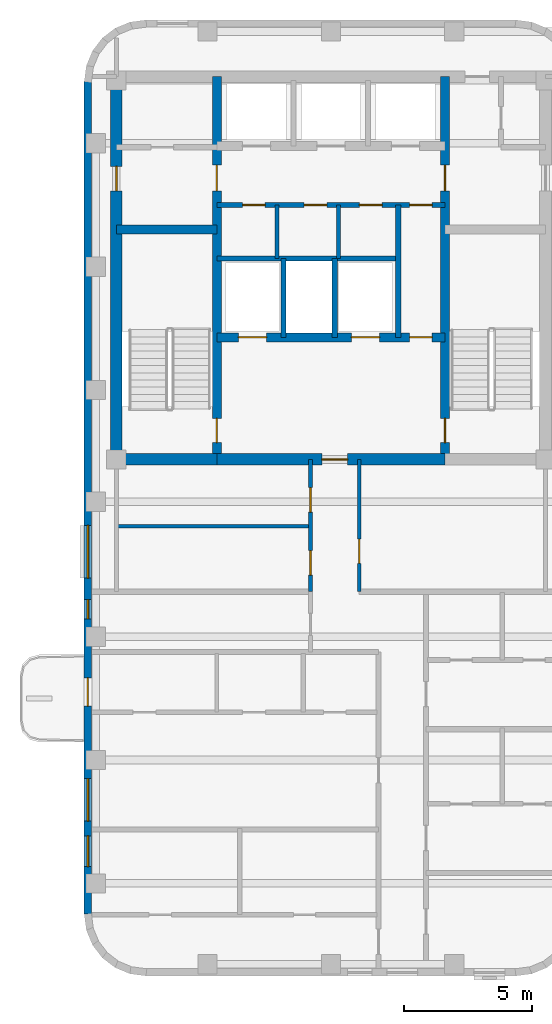
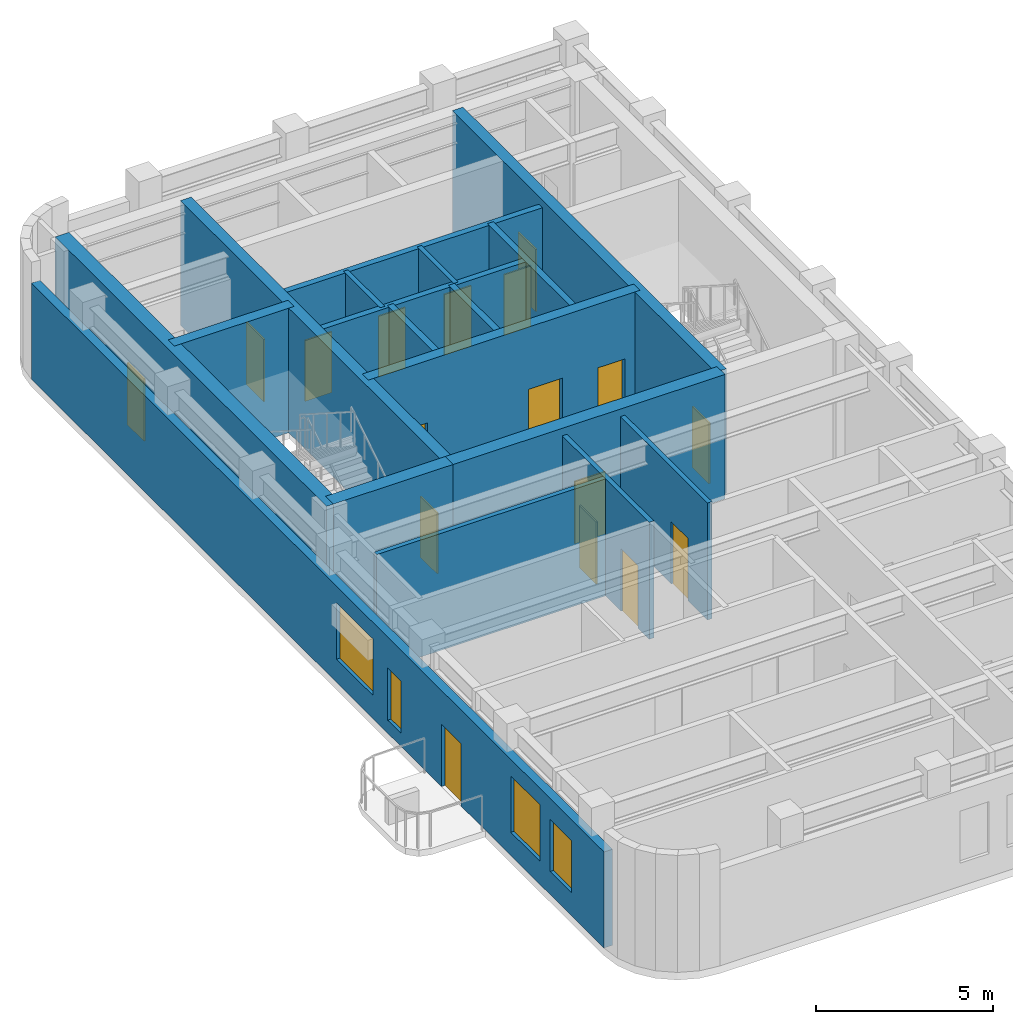
# One storey, part 3 of 6: 18 walls, 17 doors, 4 windows, 21 openings.
"""IFC4 building model written with IfcOpenShell, lengths in metres."""

from ifc_helpers import new_model, si_unit, direction, frame, frame_2d, origin, place, context, subcontext, project, spatial, rectangle, extrude, material, layer, layer_set, type_object, element, fill, save


model = new_model("IFC4")

# Units and contexts
model_context = context("Model", 3, precision=1e-05, world=origin(), true_north=direction((0.0, 1.0)))
body_context = subcontext(model_context, "Body", "Model", "MODEL_VIEW")
ifc_project = project(units=[si_unit("LENGTHUNIT", "METRE"), si_unit("AREAUNIT", "SQUARE_METRE"), si_unit("VOLUMEUNIT", "CUBIC_METRE"), si_unit("PLANEANGLEUNIT", "RADIAN"), si_unit("MASSUNIT", "GRAM", prefix="KILO")], contexts=[model_context])

# Site, building, storey
site_placement = place(None, origin())
site = spatial("IfcSite", under=ifc_project, at=site_placement, CompositionType="ELEMENT")
building_placement = place(site_placement, origin())
building = spatial("IfcBuilding", under=site, at=building_placement, Name="Orvandelia Arch Residences", CompositionType="ELEMENT")
storey_placement = place(building_placement, frame((0.0, 0.0, 274.199951171875)))
storey = spatial("IfcBuildingStorey", under=building, at=storey_placement, Name="L71", CompositionType="ELEMENT", Elevation=274.199951171875)

# Wall, openings, doors
ifc_material_1 = material(Name="Concrete C50/60", Category="concrete")
ifc_layer_1 = layer(ifc_material_1, 0.35009765625, Name="Concrete C50/60", Category="concrete")
ifc_layer_set_1 = layer_set([ifc_layer_1], Name="Concrete C50/60")
wall_type_1 = type_object("IfcWallType", Name="WL-CORE-350", PredefinedType="SHEAR", material=ifc_layer_set_1)
wall_1_placement = place(storey_placement, frame((9.9599609375, 30.89990234375, 0.0), z_axis=(0.0, 0.0, 1.0), x_axis=(0.0, 1.0, 0.0)))
wall_1 = element("IfcWall", 1, at=wall_1_placement, inside=storey, type_object=wall_type_1, Name="Core Shear Wall L71-WEB1", PredefinedType="SHEAR", context=body_context, shape_type="SweptSolid", body=[
    extrude(rectangle(XDim=14.900146484375, YDim=0.35009765625, at=frame_2d((7.4501953125, 0.0))), origin(), (0.0, 0.0, 1.0), 4.300048828125),
])
opening_1_placement = place(wall_1_placement, frame((0.64990234375, 0.0, 0.0)))
opening_1 = element("IfcOpeningElement", 2, at=opening_1_placement, cuts=wall_1, Name="Opening D7", PredefinedType="OPENING", context=body_context, shape_type="SweptSolid", body=[
    extrude(rectangle(XDim=0.949951171875, YDim=2.10009765625, at=frame_2d((0.47509765625, 1.050048828125))), frame((0.0, 0.18505859375, 0.0), z_axis=(0.0, -1.0, 0.0), x_axis=(1.0, 0.0, 0.0)), (0.0, 0.0, 1.0), 0.3701171875),
])
opening_2_placement = place(wall_1_placement, frame((10.449951171875, 0.0, 0.0)))
opening_2 = element("IfcOpeningElement", 3, at=opening_2_placement, cuts=wall_1, Name="Opening D6", PredefinedType="OPENING", context=body_context, shape_type="SweptSolid", body=[
    extrude(rectangle(XDim=1.0, YDim=2.14990234375, at=frame_2d((0.5, 1.074951171875))), frame((0.0, 0.18505859375, 0.0), z_axis=(0.0, -1.0, 0.0), x_axis=(1.0, 0.0, 0.0)), (0.0, 0.0, 1.0), 0.3701171875),
])
ifc_material_2 = material(Name="Smokeproof Painted Steel Fire Door", Category="steel")
door_type_1 = type_object("IfcDoorType", Name="DR-FD60-1000", OperationType="NOTDEFINED", PredefinedType="DOOR", material=ifc_material_2)
door_1_placement = place(opening_2_placement, origin())
door_1 = element("IfcDoor", 4, at=door_1_placement, inside=storey, type_object=door_type_1, Name="High-Rise Lift Hall West Vestibule Door L71", OperationType="SINGLE_SWING_LEFT", OverallHeight=2.14990234375, OverallWidth=1.0, PredefinedType="DOOR", context=body_context, shape_type="SweptSolid", body=[
    extrude(rectangle(XDim=1.0, YDim=2.14990234375, at=frame_2d((0.5, 1.074951171875))), frame((0.0, 0.02490234375, 0.0), z_axis=(0.0, -1.0, 0.0), x_axis=(1.0, 0.0, 0.0)), (0.0, 0.0, 1.0), 0.050048828125),
])
fill(opening_2, door_1)
ifc_material_3 = material(Name="Pressurised Stairwell Fire Door")
door_type_2 = type_object("IfcDoorType", Name="DR-STAIR-950", OperationType="NOTDEFINED", PredefinedType="DOOR", material=ifc_material_3)
door_2_placement = place(opening_1_placement, origin())
door_2 = element("IfcDoor", 5, at=door_2_placement, inside=storey, type_object=door_type_2, Name="Stairwell ST-1 Fire Door L71", OperationType="SINGLE_SWING_LEFT", OverallHeight=2.10009765625, OverallWidth=0.949951171875, PredefinedType="DOOR", context=body_context, shape_type="SweptSolid", body=[
    extrude(rectangle(XDim=0.949951171875, YDim=2.10009765625, at=frame_2d((0.47509765625, 1.050048828125))), frame((0.0, 0.02490234375, 0.0), z_axis=(0.0, -1.0, 0.0), x_axis=(1.0, 0.0, 0.0)), (0.0, 0.0, 1.0), 0.050048828125),
])
fill(opening_1, door_2)

wall_2_placement = place(storey_placement, frame((18.840087890625, 30.89990234375, 0.0), z_axis=(0.0, 0.0, 1.0), x_axis=(0.0, 1.0, 0.0)))
wall_2 = element("IfcWall", 6, at=wall_2_placement, inside=storey, type_object=wall_type_1, Name="Core Shear Wall L71-WEB2", PredefinedType="SHEAR", context=body_context, shape_type="SweptSolid", body=[
    extrude(rectangle(XDim=14.900146484375, YDim=0.35009765625, at=frame_2d((7.4501953125, 0.0))), origin(), (0.0, 0.0, 1.0), 4.300048828125),
])
opening_3_placement = place(wall_2_placement, frame((0.64990234375, 0.0, 0.0)))
opening_3 = element("IfcOpeningElement", 7, at=opening_3_placement, cuts=wall_2, Name="Opening D7", PredefinedType="OPENING", context=body_context, shape_type="SweptSolid", body=[
    extrude(rectangle(XDim=0.949951171875, YDim=2.10009765625, at=frame_2d((0.47509765625, 1.050048828125))), frame((0.0, 0.18505859375, 0.0), z_axis=(0.0, -1.0, 0.0), x_axis=(1.0, 0.0, 0.0)), (0.0, 0.0, 1.0), 0.3701171875),
])
opening_4_placement = place(wall_2_placement, frame((10.449951171875, 0.0, 0.0)))
opening_4 = element("IfcOpeningElement", 8, at=opening_4_placement, cuts=wall_2, Name="Opening D6", PredefinedType="OPENING", context=body_context, shape_type="SweptSolid", body=[
    extrude(rectangle(XDim=1.0, YDim=2.14990234375, at=frame_2d((0.5, 1.074951171875))), frame((0.0, 0.18505859375, 0.0), z_axis=(0.0, -1.0, 0.0), x_axis=(1.0, 0.0, 0.0)), (0.0, 0.0, 1.0), 0.3701171875),
])
door_3_placement = place(opening_4_placement, origin())
door_3 = element("IfcDoor", 9, at=door_3_placement, inside=storey, type_object=door_type_1, Name="High-Rise Lift Hall East Vestibule Door L71", OperationType="SINGLE_SWING_RIGHT", OverallHeight=2.14990234375, OverallWidth=1.0, PredefinedType="DOOR", context=body_context, shape_type="SweptSolid", body=[
    extrude(rectangle(XDim=1.0, YDim=2.14990234375, at=frame_2d((0.5, 1.074951171875))), frame((0.0, 0.02490234375, 0.0), z_axis=(0.0, -1.0, 0.0), x_axis=(1.0, 0.0, 0.0)), (0.0, 0.0, 1.0), 0.050048828125),
])
fill(opening_4, door_3)
door_4_placement = place(opening_3_placement, origin())
door_4 = element("IfcDoor", 10, at=door_4_placement, inside=storey, type_object=door_type_2, Name="Stairwell ST-2 Fire Door L71", OperationType="SINGLE_SWING_RIGHT", OverallHeight=2.10009765625, OverallWidth=0.949951171875, PredefinedType="DOOR", context=body_context, shape_type="SweptSolid", body=[
    extrude(rectangle(XDim=0.949951171875, YDim=2.10009765625, at=frame_2d((0.47509765625, 1.050048828125))), frame((0.0, 0.02490234375, 0.0), z_axis=(0.0, -1.0, 0.0), x_axis=(1.0, 0.0, 0.0)), (0.0, 0.0, 1.0), 0.050048828125),
])
fill(opening_3, door_4)

# Wall
wall_3_placement = place(storey_placement, frame((6.050048828125, 39.85009765625, 0.0), z_axis=(0.0, 0.0, 1.0), x_axis=(1.0, 0.0, 0.0)))
element("IfcWall", 11, at=wall_3_placement, inside=storey, type_object=wall_type_1, Name="Core Shear Wall L71-HZ1", PredefinedType="SHEAR", context=body_context, shape_type="SweptSolid", body=[
    extrude(rectangle(XDim=3.909912109375, YDim=0.35009765625, at=frame_2d((1.955078125, 0.0))), origin(), (0.0, 0.0, 1.0), 4.300048828125),
])

# Wall, openings, doors
wall_4_placement = place(storey_placement, frame((9.9599609375, 35.64990234375, 0.0), z_axis=(0.0, 0.0, 1.0), x_axis=(1.0, 0.0, 0.0)))
wall_4 = element("IfcWall", 12, at=wall_4_placement, inside=storey, type_object=wall_type_1, Name="Core Shear Wall L71-HZ3", PredefinedType="SHEAR", context=body_context, shape_type="SweptSolid", body=[
    extrude(rectangle(XDim=8.880126953125, YDim=0.35009765625, at=frame_2d((4.43994140625, 0.0))), origin(), (0.0, 0.0, 1.0), 4.300048828125),
])
opening_5_placement = place(wall_4_placement, frame((0.840087890625, 0.0, 0.0)))
opening_5 = element("IfcOpeningElement", 13, at=opening_5_placement, cuts=wall_4, Name="Opening FLD", PredefinedType="OPENING", context=body_context, shape_type="SweptSolid", body=[
    extrude(rectangle(XDim=1.10009765625, YDim=2.14990234375, at=frame_2d((0.550048828125, 1.074951171875))), frame((0.0, 0.18505859375, 0.0), z_axis=(0.0, -1.0, 0.0), x_axis=(1.0, 0.0, 0.0)), (0.0, 0.0, 1.0), 0.3701171875),
])
opening_6_placement = place(wall_4_placement, frame((5.239990234375, 0.0, 0.0)))
opening_6 = element("IfcOpeningElement", 14, at=opening_6_placement, cuts=wall_4, Name="Opening FLD", PredefinedType="OPENING", context=body_context, shape_type="SweptSolid", body=[
    extrude(rectangle(XDim=1.10009765625, YDim=2.14990234375, at=frame_2d((0.550048828125, 1.074951171875))), frame((0.0, 0.18505859375, 0.0), z_axis=(0.0, -1.0, 0.0), x_axis=(1.0, 0.0, 0.0)), (0.0, 0.0, 1.0), 0.3701171875),
])
opening_7_placement = place(wall_4_placement, frame((7.5, 0.0, 0.0)))
opening_7 = element("IfcOpeningElement", 15, at=opening_7_placement, cuts=wall_4, Name="Opening D5", PredefinedType="OPENING", context=body_context, shape_type="SweptSolid", body=[
    extrude(rectangle(XDim=0.8798828125, YDim=2.10009765625, at=frame_2d((0.43994140625, 1.050048828125))), frame((0.0, 0.18505859375, 0.0), z_axis=(0.0, -1.0, 0.0), x_axis=(1.0, 0.0, 0.0)), (0.0, 0.0, 1.0), 0.3701171875),
])
ifc_material_4 = material(Name="Firefighting Lift Stainless Sliding Door")
door_type_3 = type_object("IfcDoorType", Name="DR-FLFT-1100", OperationType="NOTDEFINED", PredefinedType="DOOR", material=ifc_material_4)
door_5_placement = place(opening_5_placement, origin())
door_5 = element("IfcDoor", 16, at=door_5_placement, inside=storey, type_object=door_type_3, Name="Firefighting Lift Landing Door FLD-FL1-L71", OperationType="SLIDING_TO_LEFT", OverallHeight=2.14990234375, OverallWidth=1.10009765625, PredefinedType="DOOR", context=body_context, shape_type="SweptSolid", body=[
    extrude(rectangle(XDim=1.10009765625, YDim=2.14990234375, at=frame_2d((0.550048828125, 1.074951171875))), frame((0.0, 0.02490234375, 0.0), z_axis=(0.0, -1.0, 0.0), x_axis=(1.0, 0.0, 0.0)), (0.0, 0.0, 1.0), 0.050048828125),
])
fill(opening_5, door_5)
door_6_placement = place(opening_6_placement, origin())
door_6 = element("IfcDoor", 17, at=door_6_placement, inside=storey, type_object=door_type_3, Name="Firefighting Lift Landing Door FLD-FL2-L71", OperationType="SLIDING_TO_RIGHT", OverallHeight=2.14990234375, OverallWidth=1.10009765625, PredefinedType="DOOR", context=body_context, shape_type="SweptSolid", body=[
    extrude(rectangle(XDim=1.10009765625, YDim=2.14990234375, at=frame_2d((0.550048828125, 1.074951171875))), frame((0.0, 0.02490234375, 0.0), z_axis=(0.0, -1.0, 0.0), x_axis=(1.0, 0.0, 0.0)), (0.0, 0.0, 1.0), 0.050048828125),
])
fill(opening_6, door_6)
ifc_material_5 = material(Name="Painted Galvanised Steel Service Door", Category="steel")
door_type_4 = type_object("IfcDoorType", Name="DR-SRV-880", OperationType="NOTDEFINED", PredefinedType="DOOR", material=ifc_material_5)
door_7_placement = place(opening_7_placement, origin())
door_7 = element("IfcDoor", 18, at=door_7_placement, inside=storey, type_object=door_type_4, Name="Core Stairway Passage South Fire Door L71", OperationType="SINGLE_SWING_LEFT", OverallHeight=2.10009765625, OverallWidth=0.8798828125, PredefinedType="DOOR", context=body_context, shape_type="SweptSolid", body=[
    extrude(rectangle(XDim=0.8798828125, YDim=2.10009765625, at=frame_2d((0.43994140625, 1.050048828125))), frame((0.0, 0.02490234375, 0.0), z_axis=(0.0, -1.0, 0.0), x_axis=(1.0, 0.0, 0.0)), (0.0, 0.0, 1.0), 0.050048828125),
])
fill(opening_7, door_7)

# Wall, opening, door
ifc_layer_2 = layer(ifc_material_1, 0.449951171875, Name="Concrete C50/60", Category="concrete")
ifc_layer_set_2 = layer_set([ifc_layer_2], Name="Concrete C50/60")
wall_type_2 = type_object("IfcWallType", Name="WL-CORE-450", PredefinedType="SHEAR", material=ifc_layer_set_2)
wall_5_placement = place(storey_placement, frame((6.050048828125, 30.675048828125, 0.0), z_axis=(0.0, 0.0, 1.0), x_axis=(0.0, 1.0, 0.0)))
wall_5 = element("IfcWall", 19, at=wall_5_placement, inside=storey, type_object=wall_type_2, Name="Core Shear Wall L71-W", PredefinedType="SHEAR", context=body_context, shape_type="SweptSolid", body=[
    extrude(rectangle(XDim=15.349853515625, YDim=0.449951171875, at=frame_2d((7.6748046875, 0.0))), origin(), (0.0, 0.0, 1.0), 4.300048828125),
])
opening_8_placement = place(wall_5_placement, frame((10.675048828125, 0.0, 0.0)))
opening_8 = element("IfcOpeningElement", 20, at=opening_8_placement, cuts=wall_5, Name="Opening D2", PredefinedType="OPENING", context=body_context, shape_type="SweptSolid", body=[
    extrude(rectangle(XDim=0.949951171875, YDim=2.14990234375, at=frame_2d((0.47509765625, 1.074951171875))), frame((0.0, 0.23486328125, 0.0), z_axis=(0.0, -1.0, 0.0), x_axis=(1.0, 0.0, 0.0)), (0.0, 0.0, 1.0), 0.469970703125),
])
ifc_material_6 = material(Name="Solid-Core Timber Interior Fire Door", Category="wood")
door_type_5 = type_object("IfcDoorType", Name="DR-APT-950", OperationType="NOTDEFINED", PredefinedType="DOOR", material=ifc_material_6)
door_8_placement = place(opening_8_placement, origin())
door_8 = element("IfcDoor", 21, at=door_8_placement, inside=storey, type_object=door_type_5, Name="West Viewing Study Door L71", OperationType="SINGLE_SWING_RIGHT", OverallHeight=2.14990234375, OverallWidth=0.949951171875, PredefinedType="DOOR", context=body_context, shape_type="SweptSolid", body=[
    extrude(rectangle(XDim=0.949951171875, YDim=2.14990234375, at=frame_2d((0.47509765625, 1.074951171875))), frame((0.0, 0.02490234375, 0.0), z_axis=(0.0, -1.0, 0.0), x_axis=(1.0, 0.0, 0.0)), (0.0, 0.0, 1.0), 0.050048828125),
])
fill(opening_8, door_8)

# Wall
wall_6_placement = place(storey_placement, frame((6.050048828125, 30.89990234375, 0.0), z_axis=(0.0, 0.0, 1.0), x_axis=(1.0, 0.0, 0.0)))
element("IfcWall", 22, at=wall_6_placement, inside=storey, type_object=wall_type_2, Name="Core Shear Wall L71-SW", PredefinedType="SHEAR", context=body_context, shape_type="SweptSolid", body=[
    extrude(rectangle(XDim=3.909912109375, YDim=0.449951171875, at=frame_2d((1.955078125, 0.0))), origin(), (0.0, 0.0, 1.0), 4.300048828125),
])

# Wall, opening, door
wall_7_placement = place(storey_placement, frame((9.9599609375, 30.89990234375, 0.0), z_axis=(0.0, 0.0, 1.0), x_axis=(1.0, 0.0, 0.0)))
wall_7 = element("IfcWall", 23, at=wall_7_placement, inside=storey, type_object=wall_type_2, Name="Core Shear Wall L71-SM", PredefinedType="SHEAR", context=body_context, shape_type="SweptSolid", body=[
    extrude(rectangle(XDim=8.880126953125, YDim=0.449951171875, at=frame_2d((4.43994140625, 0.0))), origin(), (0.0, 0.0, 1.0), 4.300048828125),
])
opening_9_placement = place(wall_7_placement, frame((4.090087890625, 0.0, 0.0)))
opening_9 = element("IfcOpeningElement", 24, at=opening_9_placement, cuts=wall_7, Name="Opening D6", PredefinedType="OPENING", context=body_context, shape_type="SweptSolid", body=[
    extrude(rectangle(XDim=1.0, YDim=2.14990234375, at=frame_2d((0.5, 1.074951171875))), frame((0.0, 0.23486328125, 0.0), z_axis=(0.0, -1.0, 0.0), x_axis=(1.0, 0.0, 0.0)), (0.0, 0.0, 1.0), 0.469970703125),
])
door_9_placement = place(opening_9_placement, origin())
door_9 = element("IfcDoor", 25, at=door_9_placement, inside=storey, type_object=door_type_1, Name="Firefighting Lobby Smokeproof Door L71", OperationType="SINGLE_SWING_LEFT", OverallHeight=2.14990234375, OverallWidth=1.0, PredefinedType="DOOR", context=body_context, shape_type="SweptSolid", body=[
    extrude(rectangle(XDim=1.0, YDim=2.14990234375, at=frame_2d((0.5, 1.074951171875))), frame((0.0, 0.02490234375, 0.0), z_axis=(0.0, -1.0, 0.0), x_axis=(1.0, 0.0, 0.0)), (0.0, 0.0, 1.0), 0.050048828125),
])
fill(opening_9, door_9)

# Wall, openings, door, windows
ifc_material_7 = material(Name="Precast concrete C40/50", Category="concrete")
ifc_layer_3 = layer(ifc_material_7, 0.280029296875, Name="Precast concrete C40/50", Category="concrete")
ifc_layer_set_3 = layer_set([ifc_layer_3], Name="Precast concrete C40/50")
wall_type_3 = type_object("IfcWallType", Name="WL-EXT-STONE-280", PredefinedType="STANDARD", material=ifc_layer_set_3)
wall_8_placement = place(storey_placement, frame((4.93994140625, 13.199951171875, 0.0), z_axis=(0.0, 0.0, 1.0), x_axis=(0.0, 1.0, 0.0)))
wall_8 = element("IfcWall", 26, at=wall_8_placement, inside=storey, type_object=wall_type_3, Name="Coral-Limestone Precast Facade Wall L71-028", PredefinedType="STANDARD", context=body_context, shape_type="SweptSolid", body=[
    extrude(rectangle(XDim=32.400146484375, YDim=0.280029296875, at=frame_2d((16.2001953125, 0.0))), origin(), (0.0, 0.0, 1.0), 3.320068359375),
])
opening_10_placement = place(wall_8_placement, frame((8.10009765625, 0.0, 0.0)))
opening_10 = element("IfcOpeningElement", 27, at=opening_10_placement, cuts=wall_8, Name="Opening BD1", PredefinedType="OPENING", context=body_context, shape_type="SweptSolid", body=[
    extrude(rectangle(XDim=1.10009765625, YDim=2.14990234375, at=frame_2d((0.550048828125, 1.074951171875))), frame((0.0, 0.14990234375, 0.0), z_axis=(0.0, -1.0, 0.0), x_axis=(1.0, 0.0, 0.0)), (0.0, 0.0, 1.0), 0.300048828125),
])
opening_11_placement = place(wall_8_placement, frame((1.847412109375, 0.0, 0.800048828125)))
opening_11 = element("IfcOpeningElement", 28, at=opening_11_placement, cuts=wall_8, Name="Opening W3", PredefinedType="OPENING", context=body_context, shape_type="SweptSolid", body=[
    extrude(rectangle(XDim=1.199951171875, YDim=1.800048828125, at=frame_2d((0.60009765625, 0.89990234375))), frame((0.0, 0.14990234375, 0.0), z_axis=(0.0, -1.0, 0.0), x_axis=(1.0, 0.0, 0.0)), (0.0, 0.0, 1.0), 0.300048828125),
])
opening_12_placement = place(wall_8_placement, frame((3.62744140625, 0.0, 0.800048828125)))
opening_12 = element("IfcOpeningElement", 29, at=opening_12_placement, cuts=wall_8, Name="Opening W9", PredefinedType="OPENING", context=body_context, shape_type="SweptSolid", body=[
    extrude(rectangle(XDim=1.64990234375, YDim=1.949951171875, at=frame_2d((0.824951171875, 0.97509765625))), frame((0.0, 0.14990234375, 0.0), z_axis=(0.0, -1.0, 0.0), x_axis=(1.0, 0.0, 0.0)), (0.0, 0.0, 1.0), 0.300048828125),
])
opening_13_placement = place(wall_8_placement, frame((13.08251953125, 0.0, 0.800048828125)))
opening_13 = element("IfcOpeningElement", 30, at=opening_13_placement, cuts=wall_8, Name="Opening W8", PredefinedType="OPENING", context=body_context, shape_type="SweptSolid", body=[
    extrude(rectangle(XDim=2.050048828125, YDim=1.949951171875, at=frame_2d((1.02490234375, 0.97509765625))), frame((0.0, 0.14990234375, 0.0), z_axis=(0.0, -1.0, 0.0), x_axis=(1.0, 0.0, 0.0)), (0.0, 0.0, 1.0), 0.300048828125),
])
opening_14_placement = place(wall_8_placement, frame((11.492431640625, 0.0, 0.449951171875)))
opening_14 = element("IfcOpeningElement", 31, at=opening_14_placement, cuts=wall_8, Name="Opening W11", PredefinedType="OPENING", context=body_context, shape_type="SweptSolid", body=[
    extrude(rectangle(XDim=0.75, YDim=1.800048828125, at=frame_2d((0.375, 0.89990234375))), frame((0.0, 0.14990234375, 0.0), z_axis=(0.0, -1.0, 0.0), x_axis=(1.0, 0.0, 0.0)), (0.0, 0.0, 1.0), 0.300048828125),
])
ifc_material_8 = material(Name="Thermally Broken Aluminium Glazed Door", Category="aluminium")
door_type_6 = type_object("IfcDoorType", Name="DR-BAL-GLAZ-1100", OperationType="NOTDEFINED", PredefinedType="DOOR", material=ifc_material_8)
door_10_placement = place(opening_10_placement, origin())
door_10 = element("IfcDoor", 32, at=door_10_placement, inside=storey, type_object=door_type_6, Name="Tree Balcony Glazed Door BAL-L71-W1", OperationType="SINGLE_SWING_RIGHT", OverallHeight=2.14990234375, OverallWidth=1.10009765625, PredefinedType="DOOR", context=body_context, shape_type="SweptSolid", body=[
    extrude(rectangle(XDim=1.10009765625, YDim=2.14990234375, at=frame_2d((0.550048828125, 1.074951171875))), frame((0.0, 0.02490234375, 0.0), z_axis=(0.0, -1.0, 0.0), x_axis=(1.0, 0.0, 0.0)), (0.0, 0.0, 1.0), 0.050048828125),
])
fill(opening_10, door_10)
ifc_material_9 = material(Name="Tempered Low-E Insulated Glazing", Category="glass")
window_type_1 = type_object("IfcWindowType", Name="WIN-BED-0750x1800", PartitioningType="SINGLE_PANEL", PredefinedType="WINDOW", material=ifc_material_9)
window_1_placement = place(opening_14_placement, origin())
window_1 = element("IfcWindow", 33, at=window_1_placement, inside=storey, type_object=window_type_1, Name="Recessed Punched Window L71-013", OverallHeight=1.800048828125, OverallWidth=0.75, PartitioningType="SINGLE_PANEL", PredefinedType="WINDOW", context=body_context, shape_type="SweptSolid", body=[
    extrude(rectangle(XDim=0.75, YDim=1.800048828125, at=frame_2d((0.375, 0.89990234375))), frame((0.0, 0.030029296875, 0.0), z_axis=(0.0, -1.0, 0.0), x_axis=(1.0, 0.0, 0.0)), (0.0, 0.0, 1.0), 0.06005859375),
])
fill(opening_14, window_1)
window_type_2 = type_object("IfcWindowType", Name="WIN-RES-1200x1800", PartitioningType="SINGLE_PANEL", PredefinedType="WINDOW", material=ifc_material_9)
window_2_placement = place(opening_11_placement, origin())
window_2 = element("IfcWindow", 34, at=window_2_placement, inside=storey, type_object=window_type_2, Name="Recessed Punched Window L71-010", OverallHeight=1.800048828125, OverallWidth=1.199951171875, PartitioningType="SINGLE_PANEL", PredefinedType="WINDOW", context=body_context, shape_type="SweptSolid", body=[
    extrude(rectangle(XDim=1.199951171875, YDim=1.800048828125, at=frame_2d((0.60009765625, 0.89990234375))), frame((0.0, 0.030029296875, 0.0), z_axis=(0.0, -1.0, 0.0), x_axis=(1.0, 0.0, 0.0)), (0.0, 0.0, 1.0), 0.06005859375),
])
fill(opening_11, window_2)
window_type_3 = type_object("IfcWindowType", Name="WIN-UPP-1650x1950", PartitioningType="SINGLE_PANEL", PredefinedType="WINDOW", material=ifc_material_9)
window_3_placement = place(opening_12_placement, origin())
window_3 = element("IfcWindow", 35, at=window_3_placement, inside=storey, type_object=window_type_3, Name="Recessed Punched Window L71-011", OverallHeight=1.949951171875, OverallWidth=1.64990234375, PartitioningType="SINGLE_PANEL", PredefinedType="WINDOW", context=body_context, shape_type="SweptSolid", body=[
    extrude(rectangle(XDim=1.64990234375, YDim=1.949951171875, at=frame_2d((0.824951171875, 0.97509765625))), frame((0.0, 0.030029296875, 0.0), z_axis=(0.0, -1.0, 0.0), x_axis=(1.0, 0.0, 0.0)), (0.0, 0.0, 1.0), 0.06005859375),
])
fill(opening_12, window_3)
window_type_4 = type_object("IfcWindowType", Name="WIN-UPP-2050x1950", PartitioningType="SINGLE_PANEL", PredefinedType="WINDOW", material=ifc_material_9)
window_4_placement = place(opening_13_placement, origin())
window_4 = element("IfcWindow", 36, at=window_4_placement, inside=storey, type_object=window_type_4, Name="Recessed Punched Window L71-012", OverallHeight=1.949951171875, OverallWidth=2.050048828125, PartitioningType="SINGLE_PANEL", PredefinedType="WINDOW", context=body_context, shape_type="SweptSolid", body=[
    extrude(rectangle(XDim=2.050048828125, YDim=1.949951171875, at=frame_2d((1.02490234375, 0.97509765625))), frame((0.0, 0.030029296875, 0.0), z_axis=(0.0, -1.0, 0.0), x_axis=(1.0, 0.0, 0.0)), (0.0, 0.0, 1.0), 0.06005859375),
])
fill(opening_13, window_4)

# Walls
ifc_material_10 = material(Name="Acoustic Gypsum Stud Partition")
ifc_layer_4 = layer(ifc_material_10, 0.14990234375, Name="Acoustic Gypsum Stud Partition")
ifc_layer_set_4 = layer_set([ifc_layer_4], Name="Acoustic Gypsum Stud Partition")
wall_type_4 = type_object("IfcWallType", Name="WL-PART-150", PredefinedType="PARTITIONING", material=ifc_layer_set_4)
for number, where, z_axis, x_axis, name in (
    (37, (12.300048828125, 38.719970703125, 0.0), (0.0, 0.0, 1.0), (0.0, 1.0, 0.0), "Interior Partition Wall WL-L71-CSA-1"),
    (38, (14.699951171875, 38.719970703125, 0.0), (0.0, 0.0, 1.0), (0.0, 1.0, 0.0), "Interior Partition Wall WL-L71-CSA-2"),
):
    element("IfcWall", number, at=place(storey_placement, frame(where, z_axis=z_axis, x_axis=x_axis)), inside=storey, type_object=wall_type_4, Name=name, PredefinedType="PARTITIONING", context=body_context, shape_type="SweptSolid", body=[
        extrude(rectangle(XDim=2.080078125, YDim=0.14990234375, at=frame_2d((1.0400390625, 0.0))), origin(), (0.0, 0.0, 1.0), 4.0400390625),
    ])

# Wall, openings, doors
wall_9_placement = place(storey_placement, frame((13.60009765625, 25.75, 0.0), z_axis=(0.0, 0.0, 1.0), x_axis=(0.0, 1.0, 0.0)))
wall_9 = element("IfcWall", 39, at=wall_9_placement, inside=storey, type_object=wall_type_4, Name="Interior Partition Wall WL-L71-HI-W1", PredefinedType="PARTITIONING", context=body_context, shape_type="SweptSolid", body=[
    extrude(rectangle(XDim=5.14990234375, YDim=0.14990234375, at=frame_2d((2.574951171875, 0.0))), origin(), (0.0, 0.0, 1.0), 4.0400390625),
])
opening_15_placement = place(wall_9_placement, frame((0.64990234375, 0.0, 0.0)))
opening_15 = element("IfcOpeningElement", 40, at=opening_15_placement, cuts=wall_9, Name="Opening D2", PredefinedType="OPENING", context=body_context, shape_type="SweptSolid", body=[
    extrude(rectangle(XDim=0.949951171875, YDim=2.14990234375, at=frame_2d((0.47509765625, 1.074951171875))), frame((0.0, 0.0849609375, 0.0), z_axis=(0.0, -1.0, 0.0), x_axis=(1.0, 0.0, 0.0)), (0.0, 0.0, 1.0), 0.169921875),
])
opening_16_placement = place(wall_9_placement, frame((3.10009765625, 0.0, 0.0)))
opening_16 = element("IfcOpeningElement", 41, at=opening_16_placement, cuts=wall_9, Name="Opening D2", PredefinedType="OPENING", context=body_context, shape_type="SweptSolid", body=[
    extrude(rectangle(XDim=0.949951171875, YDim=2.14990234375, at=frame_2d((0.47509765625, 1.074951171875))), frame((0.0, 0.0849609375, 0.0), z_axis=(0.0, -1.0, 0.0), x_axis=(1.0, 0.0, 0.0)), (0.0, 0.0, 1.0), 0.169921875),
])
door_11_placement = place(opening_15_placement, origin())
door_11 = element("IfcDoor", 42, at=door_11_placement, inside=storey, type_object=door_type_5, Name="DR-L71-HIR1S", OperationType="SINGLE_SWING_LEFT", OverallHeight=2.14990234375, OverallWidth=0.949951171875, PredefinedType="DOOR", context=body_context, shape_type="SweptSolid", body=[
    extrude(rectangle(XDim=0.949951171875, YDim=2.14990234375, at=frame_2d((0.47509765625, 1.074951171875))), frame((0.0, 0.02490234375, 0.0), z_axis=(0.0, -1.0, 0.0), x_axis=(1.0, 0.0, 0.0)), (0.0, 0.0, 1.0), 0.050048828125),
])
fill(opening_15, door_11)
door_12_placement = place(opening_16_placement, origin())
door_12 = element("IfcDoor", 43, at=door_12_placement, inside=storey, type_object=door_type_5, Name="DR-L71-HIR1N", OperationType="SINGLE_SWING_RIGHT", OverallHeight=2.14990234375, OverallWidth=0.949951171875, PredefinedType="DOOR", context=body_context, shape_type="SweptSolid", body=[
    extrude(rectangle(XDim=0.949951171875, YDim=2.14990234375, at=frame_2d((0.47509765625, 1.074951171875))), frame((0.0, 0.02490234375, 0.0), z_axis=(0.0, -1.0, 0.0), x_axis=(1.0, 0.0, 0.0)), (0.0, 0.0, 1.0), 0.050048828125),
])
fill(opening_16, door_12)

# Wall, opening, door
wall_10_placement = place(storey_placement, frame((15.5, 25.75, 0.0), z_axis=(0.0, 0.0, 1.0), x_axis=(0.0, 1.0, 0.0)))
wall_10 = element("IfcWall", 44, at=wall_10_placement, inside=storey, type_object=wall_type_4, Name="Interior Partition Wall WL-L71-HI-W2", PredefinedType="PARTITIONING", context=body_context, shape_type="SweptSolid", body=[
    extrude(rectangle(XDim=5.14990234375, YDim=0.14990234375, at=frame_2d((2.574951171875, 0.0))), origin(), (0.0, 0.0, 1.0), 4.0400390625),
])
opening_17_placement = place(wall_10_placement, frame((1.10009765625, 0.0, 0.0)))
opening_17 = element("IfcOpeningElement", 45, at=opening_17_placement, cuts=wall_10, Name="Opening D2", PredefinedType="OPENING", context=body_context, shape_type="SweptSolid", body=[
    extrude(rectangle(XDim=0.949951171875, YDim=2.14990234375, at=frame_2d((0.47509765625, 1.074951171875))), frame((0.0, 0.0849609375, 0.0), z_axis=(0.0, -1.0, 0.0), x_axis=(1.0, 0.0, 0.0)), (0.0, 0.0, 1.0), 0.169921875),
])
door_13_placement = place(opening_17_placement, origin())
door_13 = element("IfcDoor", 46, at=door_13_placement, inside=storey, type_object=door_type_5, Name="DR-L71-HIR2", OperationType="SINGLE_SWING_RIGHT", OverallHeight=2.14990234375, OverallWidth=0.949951171875, PredefinedType="DOOR", context=body_context, shape_type="SweptSolid", body=[
    extrude(rectangle(XDim=0.949951171875, YDim=2.14990234375, at=frame_2d((0.47509765625, 1.074951171875))), frame((0.0, 0.02490234375, 0.0), z_axis=(0.0, -1.0, 0.0), x_axis=(1.0, 0.0, 0.0)), (0.0, 0.0, 1.0), 0.050048828125),
])
fill(opening_17, door_13)

# Walls
wall_11_placement = place(storey_placement, frame((6.050048828125, 28.300048828125, 0.0), z_axis=(0.0, 0.0, 1.0), x_axis=(1.0, 0.0, 0.0)))
element("IfcWall", 47, at=wall_11_placement, inside=storey, type_object=wall_type_4, Name="Interior Partition Wall WL-L71-HIR-H1", PredefinedType="PARTITIONING", context=body_context, shape_type="SweptSolid", body=[
    extrude(rectangle(XDim=7.550048828125, YDim=0.14990234375, at=frame_2d((3.77490234375, 0.0))), origin(), (0.0, 0.0, 1.0), 4.0400390625),
])
ifc_material_11 = material(Name="Fire-Rated Shaft Enclosure Wall")
ifc_layer_5 = layer(ifc_material_11, 0.199951171875, Name="Fire-Rated Shaft Enclosure Wall")
ifc_layer_set_5 = layer_set([ifc_layer_5], Name="Fire-Rated Shaft Enclosure Wall")
wall_type_5 = type_object("IfcWallType", Name="WL-SHAFT-200", PredefinedType="POLYGONAL", material=ifc_layer_set_5)
wall_12_placement = place(storey_placement, frame((9.9599609375, 38.719970703125, 0.0), z_axis=(0.0, 0.0, 1.0), x_axis=(1.0, 0.0, 0.0)))
element("IfcWall", 48, at=wall_12_placement, inside=storey, type_object=wall_type_5, Name="Interior Partition Wall WL-L71-FLN", PredefinedType="POLYGONAL", context=body_context, shape_type="SweptSolid", body=[
    extrude(rectangle(XDim=7.06005859375, YDim=0.199951171875, at=frame_2d((3.530029296875, 0.0))), origin(), (0.0, 0.0, 1.0), 4.0400390625),
])
for number, where, z_axis, x_axis, name in (
    (49, (12.550048828125, 35.64990234375, 0.0), (0.0, 0.0, 1.0), (0.0, 1.0, 0.0), "Interior Partition Wall WL-L71-FLM1"),
    (50, (14.550048828125, 35.64990234375, 0.0), (0.0, 0.0, 1.0), (0.0, 1.0, 0.0), "Interior Partition Wall WL-L71-FLM2"),
):
    element("IfcWall", number, at=place(storey_placement, frame(where, z_axis=z_axis, x_axis=x_axis)), inside=storey, type_object=wall_type_5, Name=name, PredefinedType="POLYGONAL", context=body_context, shape_type="SweptSolid", body=[
        extrude(rectangle(XDim=3.070068359375, YDim=0.199951171875, at=frame_2d((1.53515625, 0.0))), origin(), (0.0, 0.0, 1.0), 4.0400390625),
    ])
wall_13_placement = place(storey_placement, frame((17.02001953125, 35.64990234375, 0.0), z_axis=(0.0, 0.0, 1.0), x_axis=(0.0, 1.0, 0.0)))
element("IfcWall", 51, at=wall_13_placement, inside=storey, type_object=wall_type_5, Name="Interior Partition Wall WL-L71-FLM3", PredefinedType="POLYGONAL", context=body_context, shape_type="SweptSolid", body=[
    extrude(rectangle(XDim=5.150146484375, YDim=0.199951171875, at=frame_2d((2.5751953125, 0.0))), origin(), (0.0, 0.0, 1.0), 4.0400390625),
])

# Wall, openings, doors
wall_14_placement = place(storey_placement, frame((9.9599609375, 40.800048828125, 0.0), z_axis=(0.0, 0.0, 1.0), x_axis=(1.0, 0.0, 0.0)))
wall_14 = element("IfcWall", 52, at=wall_14_placement, inside=storey, type_object=wall_type_5, Name="Interior Partition Wall WL-L71-HLH-S", PredefinedType="POLYGONAL", context=body_context, shape_type="SweptSolid", body=[
    extrude(rectangle(XDim=8.880126953125, YDim=0.199951171875, at=frame_2d((4.43994140625, 0.0))), origin(), (0.0, 0.0, 1.0), 4.0400390625),
])
opening_18_placement = place(wall_14_placement, frame((7.5, 0.0, 0.0)))
opening_18 = element("IfcOpeningElement", 53, at=opening_18_placement, cuts=wall_14, Name="Opening D5", PredefinedType="OPENING", context=body_context, shape_type="SweptSolid", body=[
    extrude(rectangle(XDim=0.8798828125, YDim=2.10009765625, at=frame_2d((0.43994140625, 1.050048828125))), frame((0.0, 0.10986328125, 0.0), z_axis=(0.0, -1.0, 0.0), x_axis=(1.0, 0.0, 0.0)), (0.0, 0.0, 1.0), 0.219970703125),
])
opening_19_placement = place(wall_14_placement, frame((1.0, 0.0, 0.0)))
opening_19 = element("IfcOpeningElement", 54, at=opening_19_placement, cuts=wall_14, Name="Opening D5", PredefinedType="OPENING", context=body_context, shape_type="SweptSolid", body=[
    extrude(rectangle(XDim=0.8798828125, YDim=2.10009765625, at=frame_2d((0.43994140625, 1.050048828125))), frame((0.0, 0.10986328125, 0.0), z_axis=(0.0, -1.0, 0.0), x_axis=(1.0, 0.0, 0.0)), (0.0, 0.0, 1.0), 0.219970703125),
])
opening_20_placement = place(wall_14_placement, frame((3.39990234375, 0.0, 0.0)))
opening_20 = element("IfcOpeningElement", 55, at=opening_20_placement, cuts=wall_14, Name="Opening D5", PredefinedType="OPENING", context=body_context, shape_type="SweptSolid", body=[
    extrude(rectangle(XDim=0.8798828125, YDim=2.10009765625, at=frame_2d((0.43994140625, 1.050048828125))), frame((0.0, 0.10986328125, 0.0), z_axis=(0.0, -1.0, 0.0), x_axis=(1.0, 0.0, 0.0)), (0.0, 0.0, 1.0), 0.219970703125),
])
opening_21_placement = place(wall_14_placement, frame((5.550048828125, 0.0, 0.0)))
opening_21 = element("IfcOpeningElement", 56, at=opening_21_placement, cuts=wall_14, Name="Opening D5", PredefinedType="OPENING", context=body_context, shape_type="SweptSolid", body=[
    extrude(rectangle(XDim=0.8798828125, YDim=2.10009765625, at=frame_2d((0.43994140625, 1.050048828125))), frame((0.0, 0.10986328125, 0.0), z_axis=(0.0, -1.0, 0.0), x_axis=(1.0, 0.0, 0.0)), (0.0, 0.0, 1.0), 0.219970703125),
])
door_14_placement = place(opening_18_placement, origin())
door_14 = element("IfcDoor", 57, at=door_14_placement, inside=storey, type_object=door_type_4, Name="Core Stairway Passage North Fire Door L71", OperationType="SINGLE_SWING_RIGHT", OverallHeight=2.10009765625, OverallWidth=0.8798828125, PredefinedType="DOOR", context=body_context, shape_type="SweptSolid", body=[
    extrude(rectangle(XDim=0.8798828125, YDim=2.10009765625, at=frame_2d((0.43994140625, 1.050048828125))), frame((0.0, 0.02490234375, 0.0), z_axis=(0.0, -1.0, 0.0), x_axis=(1.0, 0.0, 0.0)), (0.0, 0.0, 1.0), 0.050048828125),
])
fill(opening_18, door_14)
door_15_placement = place(opening_19_placement, origin())
door_15 = element("IfcDoor", 58, at=door_15_placement, inside=storey, type_object=door_type_4, Name="DR-L71-CSA1", OperationType="SINGLE_SWING_LEFT", OverallHeight=2.10009765625, OverallWidth=0.8798828125, PredefinedType="DOOR", context=body_context, shape_type="SweptSolid", body=[
    extrude(rectangle(XDim=0.8798828125, YDim=2.10009765625, at=frame_2d((0.43994140625, 1.050048828125))), frame((0.0, 0.02490234375, 0.0), z_axis=(0.0, -1.0, 0.0), x_axis=(1.0, 0.0, 0.0)), (0.0, 0.0, 1.0), 0.050048828125),
])
fill(opening_19, door_15)
door_16_placement = place(opening_20_placement, origin())
door_16 = element("IfcDoor", 59, at=door_16_placement, inside=storey, type_object=door_type_4, Name="DR-L71-CSA2", OperationType="SINGLE_SWING_RIGHT", OverallHeight=2.10009765625, OverallWidth=0.8798828125, PredefinedType="DOOR", context=body_context, shape_type="SweptSolid", body=[
    extrude(rectangle(XDim=0.8798828125, YDim=2.10009765625, at=frame_2d((0.43994140625, 1.050048828125))), frame((0.0, 0.02490234375, 0.0), z_axis=(0.0, -1.0, 0.0), x_axis=(1.0, 0.0, 0.0)), (0.0, 0.0, 1.0), 0.050048828125),
])
fill(opening_20, door_16)
door_17_placement = place(opening_21_placement, origin())
door_17 = element("IfcDoor", 60, at=door_17_placement, inside=storey, type_object=door_type_4, Name="DR-L71-CSA3", OperationType="SINGLE_SWING_LEFT", OverallHeight=2.10009765625, OverallWidth=0.8798828125, PredefinedType="DOOR", context=body_context, shape_type="SweptSolid", body=[
    extrude(rectangle(XDim=0.8798828125, YDim=2.10009765625, at=frame_2d((0.43994140625, 1.050048828125))), frame((0.0, 0.02490234375, 0.0), z_axis=(0.0, -1.0, 0.0), x_axis=(1.0, 0.0, 0.0)), (0.0, 0.0, 1.0), 0.050048828125),
])
fill(opening_21, door_17)

save(model, "model.ifc")
